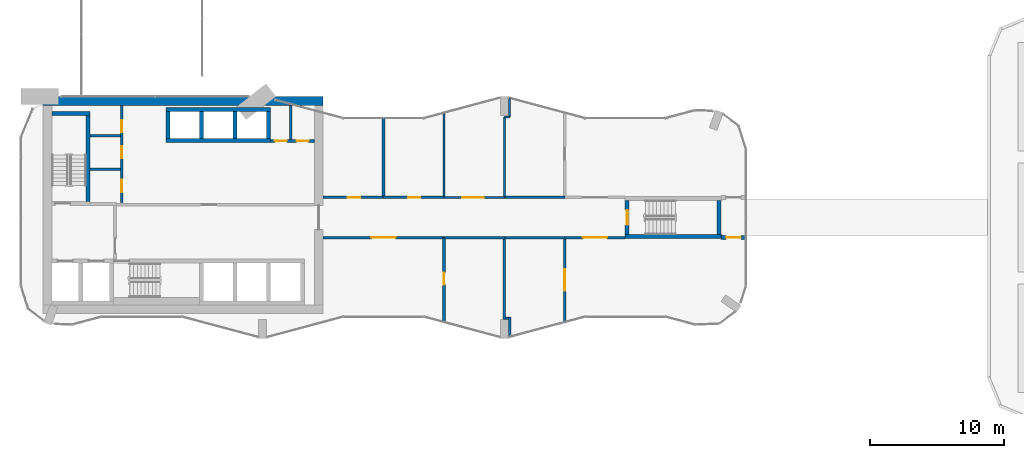
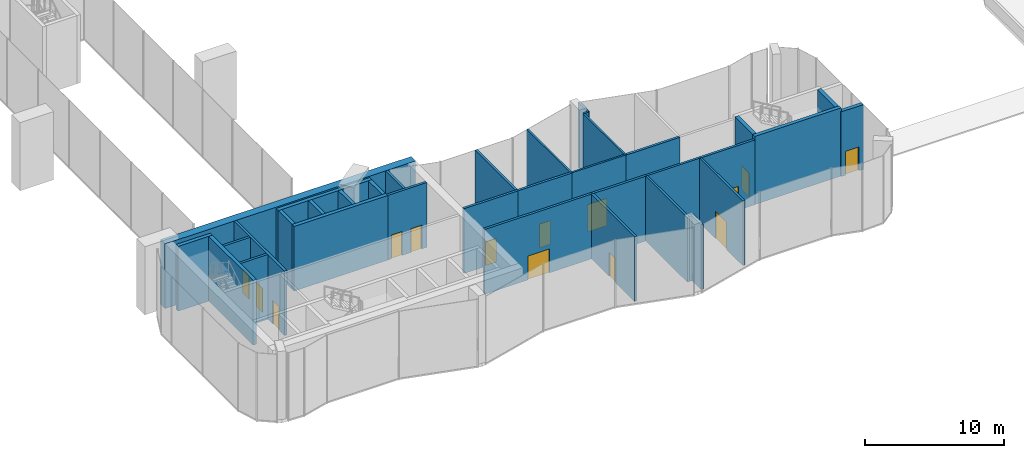
# One storey, part 11 of 19: 36 walls, 14 doors, 14 openings.
"""IFC4 building model written with IfcOpenShell, lengths in metres."""

from ifc_helpers import new_model, si_unit, direction, frame, frame_2d, origin, place, context, subcontext, project, spatial, rectangle, extrude, material, layer, layer_set, type_object, element, fill, save


model = new_model("IFC4")

# Units and contexts
model_context = context("Model", 3, precision=1e-05, world=origin(), true_north=direction((0.0, 1.0)))
body_context = subcontext(model_context, "Body", "Model", "MODEL_VIEW")
ifc_project = project(units=[si_unit("LENGTHUNIT", "METRE"), si_unit("AREAUNIT", "SQUARE_METRE"), si_unit("VOLUMEUNIT", "CUBIC_METRE"), si_unit("PLANEANGLEUNIT", "RADIAN"), si_unit("MASSUNIT", "GRAM", prefix="KILO")], contexts=[model_context])

# Site, building, storey
site_placement = place(None, origin())
site = spatial("IfcSite", under=ifc_project, at=site_placement, CompositionType="ELEMENT")
building_placement = place(site_placement, origin())
building = spatial("IfcBuilding", under=site, at=building_placement, Name="Plateau Cross Towers", CompositionType="ELEMENT")
storey_placement = place(building_placement, frame((0.0, 0.0, 128.60009765625)))
storey = spatial("IfcBuildingStorey", under=building, at=storey_placement, Name="L33", CompositionType="ELEMENT", Elevation=128.60009765625)

# Wall, opening, door
ifc_material_1 = material(Name="Concrete C60/75", Category="concrete")
ifc_layer_1 = layer(ifc_material_1, 0.300048828125)
ifc_layer_set_1 = layer_set([ifc_layer_1], Name="Concrete C60/75")
wall_type_1 = type_object("IfcWallType", Name="Bridge stub wall 300", PredefinedType="SHEAR", material=ifc_layer_set_1)
wall_1_placement = place(storey_placement, frame((52.14990234375, 7.5, 0.0), z_axis=(0.0, 0.0, 1.0), x_axis=(1.0, 0.0, 0.0)))
wall_1 = element("IfcWall", 1, at=wall_1_placement, inside=storey, type_object=wall_type_1, Name="A-end-E-bridge-S@L33", PredefinedType="SHEAR", context=body_context, shape_type="SweptSolid", body=[
    extrude(rectangle(XDim=1.85009765625, YDim=0.300048828125, at=frame_2d((0.925048828125, 0.0))), origin(), (0.0, 0.0, 1.0), 5.699951171875),
])
opening_1_placement = place(wall_1_placement, frame((0.375, 0.0, 0.0)))
opening_1 = element("IfcOpeningElement", 2, at=opening_1_placement, cuts=wall_1, Name="Opening 33-F1", PredefinedType="OPENING", context=body_context, shape_type="SweptSolid", body=[
    extrude(rectangle(XDim=1.10009765625, YDim=2.10009765625, at=frame_2d((0.550048828125, 1.050048828125))), frame((0.0, 0.159912109375, 0.0), z_axis=(0.0, -1.0, 0.0), x_axis=(1.0, 0.0, 0.0)), (0.0, 0.0, 1.0), 0.320068359375),
])
ifc_material_2 = material(Name="Steel, fire-resisting leaf", Category="steel")
door_type_1 = type_object("IfcDoorType", Name="Link lounge fire door 1100", OperationType="NOTDEFINED", PredefinedType="DOOR", material=ifc_material_2)
door_1_placement = place(opening_1_placement, origin())
door_1 = element("IfcDoor", 3, at=door_1_placement, inside=storey, type_object=door_type_1, Name="Door 33-F1", OperationType="SINGLE_SWING_LEFT", OverallHeight=2.10009765625, OverallWidth=1.10009765625, PredefinedType="DOOR", context=body_context, shape_type="SweptSolid", body=[
    extrude(rectangle(XDim=1.10009765625, YDim=2.10009765625, at=frame_2d((0.550048828125, 1.050048828125))), frame((0.0, 0.02490234375, 0.0), z_axis=(0.0, -1.0, 0.0), x_axis=(1.0, 0.0, 0.0)), (0.0, 0.0, 1.0), 0.050048828125),
])
fill(opening_1, door_1)

# Wall, openings, doors
ifc_material_3 = material(Name="Concrete block, plastered both sides", Category="concrete")
ifc_layer_2 = layer(ifc_material_3, 0.199951171875)
ifc_layer_set_2 = layer_set([ifc_layer_2], Name="Concrete block, plastered both sides")
wall_type_2 = type_object("IfcWallType", Name="Core partition 200", PredefinedType="PARTITIONING", material=ifc_layer_set_2)
wall_2_placement = place(storey_placement, frame((7.5, 10.10009765625, 0.0), z_axis=(0.0, 0.0, 1.0), x_axis=(0.0, 1.0, 0.0)))
wall_2 = element("IfcWall", 4, at=wall_2_placement, inside=storey, type_object=wall_type_2, Name="Core partition", PredefinedType="PARTITIONING", context=body_context, shape_type="SweptSolid", body=[
    extrude(rectangle(XDim=7.25, YDim=0.199951171875, at=frame_2d((3.625, 0.0))), origin(), (0.0, 0.0, 1.0), 5.699951171875),
])
opening_2_placement = place(wall_2_placement, frame((0.800048828125, 0.0, 0.0)))
opening_2 = element("IfcOpeningElement", 5, at=opening_2_placement, cuts=wall_2, Name="Opening RD1", PredefinedType="OPENING", context=body_context, shape_type="SweptSolid", body=[
    extrude(rectangle(XDim=0.89990234375, YDim=2.10009765625, at=frame_2d((0.449951171875, 1.050048828125))), frame((0.0, 0.10986328125, 0.0), z_axis=(0.0, -1.0, 0.0), x_axis=(1.0, 0.0, 0.0)), (0.0, 0.0, 1.0), 0.219970703125),
])
opening_3_placement = place(wall_2_placement, frame((3.300048828125, 0.0, 0.0)))
opening_3 = element("IfcOpeningElement", 6, at=opening_3_placement, cuts=wall_2, Name="Opening RD1", PredefinedType="OPENING", context=body_context, shape_type="SweptSolid", body=[
    extrude(rectangle(XDim=0.89990234375, YDim=2.10009765625, at=frame_2d((0.449951171875, 1.050048828125))), frame((0.0, 0.10986328125, 0.0), z_axis=(0.0, -1.0, 0.0), x_axis=(1.0, 0.0, 0.0)), (0.0, 0.0, 1.0), 0.219970703125),
])
opening_4_placement = place(wall_2_placement, frame((5.25, 0.0, 0.0)))
opening_4 = element("IfcOpeningElement", 7, at=opening_4_placement, cuts=wall_2, Name="Opening RD1", PredefinedType="OPENING", context=body_context, shape_type="SweptSolid", body=[
    extrude(rectangle(XDim=0.89990234375, YDim=2.10009765625, at=frame_2d((0.449951171875, 1.050048828125))), frame((0.0, 0.10986328125, 0.0), z_axis=(0.0, -1.0, 0.0), x_axis=(1.0, 0.0, 0.0)), (0.0, 0.0, 1.0), 0.219970703125),
])
ifc_material_4 = material(Name="Timber, fire-resisting leaf", Category="wood")
door_type_2 = type_object("IfcDoorType", Name="Core service door 900", OperationType="NOTDEFINED", PredefinedType="DOOR", material=ifc_material_4)
door_2_placement = place(opening_2_placement, origin())
door_2 = element("IfcDoor", 8, at=door_2_placement, inside=storey, type_object=door_type_2, Name="Core service door RD1", OperationType="SINGLE_SWING_RIGHT", OverallHeight=2.10009765625, OverallWidth=0.89990234375, PredefinedType="DOOR", context=body_context, shape_type="SweptSolid", body=[
    extrude(rectangle(XDim=0.89990234375, YDim=2.10009765625, at=frame_2d((0.449951171875, 1.050048828125))), frame((0.0, 0.02490234375, 0.0), z_axis=(0.0, -1.0, 0.0), x_axis=(1.0, 0.0, 0.0)), (0.0, 0.0, 1.0), 0.050048828125),
])
fill(opening_2, door_2)
door_3_placement = place(opening_3_placement, origin())
door_3 = element("IfcDoor", 9, at=door_3_placement, inside=storey, type_object=door_type_2, Name="Core service door RD1", OperationType="SINGLE_SWING_RIGHT", OverallHeight=2.10009765625, OverallWidth=0.89990234375, PredefinedType="DOOR", context=body_context, shape_type="SweptSolid", body=[
    extrude(rectangle(XDim=0.89990234375, YDim=2.10009765625, at=frame_2d((0.449951171875, 1.050048828125))), frame((0.0, 0.02490234375, 0.0), z_axis=(0.0, -1.0, 0.0), x_axis=(1.0, 0.0, 0.0)), (0.0, 0.0, 1.0), 0.050048828125),
])
fill(opening_3, door_3)
door_4_placement = place(opening_4_placement, origin())
door_4 = element("IfcDoor", 10, at=door_4_placement, inside=storey, type_object=door_type_2, Name="Core service door RD1", OperationType="SINGLE_SWING_RIGHT", OverallHeight=2.10009765625, OverallWidth=0.89990234375, PredefinedType="DOOR", context=body_context, shape_type="SweptSolid", body=[
    extrude(rectangle(XDim=0.89990234375, YDim=2.10009765625, at=frame_2d((0.449951171875, 1.050048828125))), frame((0.0, 0.02490234375, 0.0), z_axis=(0.0, -1.0, 0.0), x_axis=(1.0, 0.0, 0.0)), (0.0, 0.0, 1.0), 0.050048828125),
])
fill(opening_4, door_4)

# Walls
for number, where, z_axis, x_axis, name in (
    (11, (5.14990234375, 12.60009765625, 0.0), (0.0, 0.0, 1.0), (1.0, 0.0, 0.0), "Core partition"),
    (12, (5.14990234375, 15.10009765625, 0.0), (0.0, 0.0, 1.0), (1.0, 0.0, 0.0), "Core partition"),
):
    element("IfcWall", number, at=place(storey_placement, frame(where, z_axis=z_axis, x_axis=x_axis)), inside=storey, type_object=wall_type_2, Name=name, PredefinedType="PARTITIONING", context=body_context, shape_type="SweptSolid", body=[
        extrude(rectangle(XDim=2.25, YDim=0.199951171875, at=frame_2d((1.125, 0.0))), origin(), (0.0, 0.0, 1.0), 5.699951171875),
    ])

# Wall, openings, doors
wall_3_placement = place(storey_placement, frame((18.60009765625, 14.699951171875, 0.0), z_axis=(0.0, 0.0, 1.0), x_axis=(1.0, 0.0, 0.0)))
wall_3 = element("IfcWall", 13, at=wall_3_placement, inside=storey, type_object=wall_type_2, Name="Core partition", PredefinedType="PARTITIONING", context=body_context, shape_type="SweptSolid", body=[
    extrude(rectangle(XDim=3.25, YDim=0.199951171875, at=frame_2d((1.625, 0.0))), origin(), (0.0, 0.0, 1.0), 5.699951171875),
])
opening_5_placement = place(wall_3_placement, frame((0.300048828125, 0.0, 0.0)))
opening_5 = element("IfcOpeningElement", 14, at=opening_5_placement, cuts=wall_3, Name="Opening RD2", PredefinedType="OPENING", context=body_context, shape_type="SweptSolid", body=[
    extrude(rectangle(XDim=0.89990234375, YDim=2.10009765625, at=frame_2d((0.449951171875, 1.050048828125))), frame((0.0, 0.10986328125, 0.0), z_axis=(0.0, -1.0, 0.0), x_axis=(1.0, 0.0, 0.0)), (0.0, 0.0, 1.0), 0.219970703125),
])
opening_6_placement = place(wall_3_placement, frame((1.925048828125, 0.0, 0.0)))
opening_6 = element("IfcOpeningElement", 15, at=opening_6_placement, cuts=wall_3, Name="Opening RD2", PredefinedType="OPENING", context=body_context, shape_type="SweptSolid", body=[
    extrude(rectangle(XDim=0.89990234375, YDim=2.10009765625, at=frame_2d((0.449951171875, 1.050048828125))), frame((0.0, 0.10986328125, 0.0), z_axis=(0.0, -1.0, 0.0), x_axis=(1.0, 0.0, 0.0)), (0.0, 0.0, 1.0), 0.219970703125),
])
door_type_3 = type_object("IfcDoorType", Name="Core riser door 900", OperationType="NOTDEFINED", PredefinedType="DOOR", material=ifc_material_2)
door_5_placement = place(opening_5_placement, origin())
door_5 = element("IfcDoor", 16, at=door_5_placement, inside=storey, type_object=door_type_3, Name="Core riser door RD2", OperationType="SINGLE_SWING_LEFT", OverallHeight=2.10009765625, OverallWidth=0.89990234375, PredefinedType="DOOR", context=body_context, shape_type="SweptSolid", body=[
    extrude(rectangle(XDim=0.89990234375, YDim=2.10009765625, at=frame_2d((0.449951171875, 1.050048828125))), frame((0.0, 0.02490234375, 0.0), z_axis=(0.0, -1.0, 0.0), x_axis=(1.0, 0.0, 0.0)), (0.0, 0.0, 1.0), 0.050048828125),
])
fill(opening_5, door_5)
door_6_placement = place(opening_6_placement, origin())
door_6 = element("IfcDoor", 17, at=door_6_placement, inside=storey, type_object=door_type_3, Name="Core riser door RD2", OperationType="SINGLE_SWING_LEFT", OverallHeight=2.10009765625, OverallWidth=0.89990234375, PredefinedType="DOOR", context=body_context, shape_type="SweptSolid", body=[
    extrude(rectangle(XDim=0.89990234375, YDim=2.10009765625, at=frame_2d((0.449951171875, 1.050048828125))), frame((0.0, 0.02490234375, 0.0), z_axis=(0.0, -1.0, 0.0), x_axis=(1.0, 0.0, 0.0)), (0.0, 0.0, 1.0), 0.050048828125),
])
fill(opening_6, door_6)

# Walls
wall_4_placement = place(storey_placement, frame((20.10009765625, 14.800048828125, 0.0), z_axis=(0.0, 0.0, 1.0), x_axis=(0.0, 1.0, 0.0)))
element("IfcWall", 18, at=wall_4_placement, inside=storey, type_object=wall_type_2, Name="Core partition", PredefinedType="PARTITIONING", context=body_context, shape_type="SweptSolid", body=[
    extrude(rectangle(XDim=2.550048828125, YDim=0.199951171875, at=frame_2d((1.27490234375, 0.0))), origin(), (0.0, 0.0, 1.0), 5.699951171875),
])
ifc_layer_3 = layer(ifc_material_1, 0.300048828125)
ifc_layer_set_3 = layer_set([ifc_layer_3], Name="Concrete C60/75")
wall_type_3 = type_object("IfcWallType", Name="Core shaft wall 300", PredefinedType="SHEAR", material=ifc_layer_set_3)
wall_5_placement = place(storey_placement, frame((5.0, 10.199951171875, 0.0), z_axis=(0.0, 0.0, 1.0), x_axis=(0.0, 1.0, 0.0)))
element("IfcWall", 19, at=wall_5_placement, inside=storey, type_object=wall_type_3, Name="A-st1-E@L33", PredefinedType="SHEAR", context=body_context, shape_type="SweptSolid", body=[
    extrude(rectangle(XDim=6.400146484375, YDim=0.300048828125, at=frame_2d((3.2001953125, 0.0))), origin(), (0.0, 0.0, 1.0), 5.699951171875),
])
wall_6_placement = place(storey_placement, frame((2.300048828125, 16.75, 0.0), z_axis=(0.0, 0.0, 1.0), x_axis=(1.0, 0.0, 0.0)))
element("IfcWall", 20, at=wall_6_placement, inside=storey, type_object=wall_type_3, Name="A-st1-N@L33", PredefinedType="SHEAR", context=body_context, shape_type="SweptSolid", body=[
    extrude(rectangle(XDim=2.849853515625, YDim=0.300048828125, at=frame_2d((1.4248046875, 0.0))), origin(), (0.0, 0.0, 1.0), 5.699951171875),
])
for number, where, z_axis, x_axis, name in (
    (21, (10.800048828125, 17.050048828125, 0.0), (0.0, 0.0, 1.0), (1.0, 0.0, 0.0), "A-nb-back@L33"),
    (22, (10.800048828125, 14.75, 0.0), (0.0, 0.0, 1.0), (1.0, 0.0, 0.0), "A-nb-front@L33"),
):
    element("IfcWall", number, at=place(storey_placement, frame(where, z_axis=z_axis, x_axis=x_axis)), inside=storey, type_object=wall_type_3, Name=name, PredefinedType="SHEAR", context=body_context, shape_type="SweptSolid", body=[
        extrude(rectangle(XDim=7.800048828125, YDim=0.300048828125, at=frame_2d((3.89990234375, 0.0))), origin(), (0.0, 0.0, 1.0), 5.699951171875),
    ])
for number, where, z_axis, x_axis, name in (
    (23, (10.949951171875, 14.89990234375, 0.0), (0.0, 0.0, 1.0), (0.0, 1.0, 0.0), "A-nb-v1@L33"),
    (24, (13.449951171875, 14.89990234375, 0.0), (0.0, 0.0, 1.0), (0.0, 1.0, 0.0), "A-nb-v2@L33"),
    (25, (15.949951171875, 14.89990234375, 0.0), (0.0, 0.0, 1.0), (0.0, 1.0, 0.0), "A-nb-v3@L33"),
    (26, (18.449951171875, 14.89990234375, 0.0), (0.0, 0.0, 1.0), (0.0, 1.0, 0.0), "A-nb-v4@L33"),
):
    element("IfcWall", number, at=place(storey_placement, frame(where, z_axis=z_axis, x_axis=x_axis)), inside=storey, type_object=wall_type_3, Name=name, PredefinedType="SHEAR", context=body_context, shape_type="SweptSolid", body=[
        extrude(rectangle(XDim=2.0, YDim=0.300048828125, at=frame_2d((1.0, 0.0))), origin(), (0.0, 0.0, 1.0), 5.699951171875),
    ])
ifc_layer_4 = layer(ifc_material_1, 0.64990234375)
ifc_layer_set_4 = layer_set([ifc_layer_4], Name="Concrete C60/75")
wall_type_4 = type_object("IfcWallType", Name="Core shell wall 650", PredefinedType="SHEAR", material=ifc_layer_set_4)
wall_7_placement = place(storey_placement, frame((1.64990234375, 17.675048828125, 0.0), z_axis=(0.0, 0.0, 1.0), x_axis=(1.0, 0.0, 0.0)))
element("IfcWall", 27, at=wall_7_placement, inside=storey, type_object=wall_type_4, Name="A-core-N@L33", PredefinedType="SHEAR", context=body_context, shape_type="SweptSolid", body=[
    extrude(rectangle(XDim=20.85009765625, YDim=0.64990234375, at=frame_2d((10.425048828125, 0.0))), origin(), (0.0, 0.0, 1.0), 5.699951171875),
])
ifc_material_5 = material(Name="Dense masonry block, plastered, acoustic lining", Category="masonry")
ifc_layer_5 = layer(ifc_material_5, 0.179931640625)
ifc_layer_set_5 = layer_set([ifc_layer_5], Name="Dense masonry block, plastered, acoustic lining")
wall_type_5 = type_object("IfcWallType", Name="Plant room acoustic wall 180", PredefinedType="PARTITIONING", material=ifc_layer_set_5)
wall_8_placement = place(storey_placement, frame((36.0, 7.5, 0.0), z_axis=(0.0, 0.0, 1.0), x_axis=(0.0, -1.0, 0.0)))
element("IfcWall", 28, at=wall_8_placement, inside=storey, type_object=wall_type_5, Name="Partition wall", PredefinedType="PARTITIONING", context=body_context, shape_type="SweptSolid", body=[
    extrude(rectangle(XDim=6.090087890625, YDim=0.179931640625, at=frame_2d((3.044921875, 0.0))), origin(), (0.0, 0.0, 1.0), 5.699951171875),
])
wall_9_placement = place(storey_placement, frame((36.090087890625, 1.5, 0.0), z_axis=(0.0, 0.0, 1.0), x_axis=(1.0, 0.0, 0.0)))
element("IfcWall", 29, at=wall_9_placement, inside=storey, type_object=wall_type_5, Name="Partition wall", PredefinedType="PARTITIONING", context=body_context, shape_type="SweptSolid", body=[
    extrude(rectangle(XDim=0.219970703125, YDim=0.179931640625, at=frame_2d((0.10986328125, 0.0))), origin(), (0.0, 0.0, 1.0), 5.699951171875),
])
wall_10_placement = place(storey_placement, frame((36.39990234375, 1.590087890625, 0.0), z_axis=(0.0, 0.0, 1.0), x_axis=(0.0, -1.0, 0.0)))
element("IfcWall", 30, at=wall_10_placement, inside=storey, type_object=wall_type_5, Name="Partition wall", PredefinedType="PARTITIONING", context=body_context, shape_type="SweptSolid", body=[
    extrude(rectangle(XDim=1.483154296875, YDim=0.179931640625, at=frame_2d((0.74169921875, 0.0))), origin(), (0.0, 0.0, 1.0), 5.699951171875),
])

# Wall, opening, door
wall_11_placement = place(storey_placement, frame((40.5, 7.5, 0.0), z_axis=(0.0, 0.0, 1.0), x_axis=(0.0, -1.0, 0.0)))
wall_11 = element("IfcWall", 31, at=wall_11_placement, inside=storey, type_object=wall_type_5, Name="Partition wall", PredefinedType="PARTITIONING", context=body_context, shape_type="SweptSolid", body=[
    extrude(rectangle(XDim=6.294921875, YDim=0.179931640625, at=frame_2d((3.1474609375, 0.0))), origin(), (0.0, 0.0, 1.0), 5.699951171875),
])
opening_7_placement = place(wall_11_placement, frame((2.35009765625, 0.0, 0.0)))
opening_7 = element("IfcOpeningElement", 32, at=opening_7_placement, cuts=wall_11, Name="Opening 33-02", PredefinedType="OPENING", context=body_context, shape_type="SweptSolid", body=[
    extrude(rectangle(XDim=1.60009765625, YDim=2.39990234375, at=frame_2d((0.800048828125, 1.199951171875))), frame((0.0, 0.099853515625, 0.0), z_axis=(0.0, -1.0, 0.0), x_axis=(1.0, 0.0, 0.0)), (0.0, 0.0, 1.0), 0.199951171875),
])
ifc_material_6 = material(Name="Steel, fire-resisting double leaf with louvre panel", Category="steel")
door_type_4 = type_object("IfcDoorType", Name="Plant room double door 1600x2400", OperationType="NOTDEFINED", PredefinedType="DOOR", material=ifc_material_6)
door_7_placement = place(opening_7_placement, origin())
door_7 = element("IfcDoor", 33, at=door_7_placement, inside=storey, type_object=door_type_4, Name="Door 33-02", OperationType="SINGLE_SWING_LEFT", OverallHeight=2.39990234375, OverallWidth=1.60009765625, PredefinedType="DOOR", context=body_context, shape_type="SweptSolid", body=[
    extrude(rectangle(XDim=1.60009765625, YDim=2.39990234375, at=frame_2d((0.800048828125, 1.199951171875))), frame((0.0, 0.02490234375, 0.0), z_axis=(0.0, -1.0, 0.0), x_axis=(1.0, 0.0, 0.0)), (0.0, 0.0, 1.0), 0.050048828125),
])
fill(opening_7, door_7)

# Wall
wall_12_placement = place(storey_placement, frame((40.5, 7.5, 0.0), z_axis=(0.0, 0.0, 1.0), x_axis=(-1.0, 0.0, 0.0)))
element("IfcWall", 34, at=wall_12_placement, inside=storey, type_object=wall_type_5, Name="Partition wall", PredefinedType="PARTITIONING", context=body_context, shape_type="SweptSolid", body=[
    extrude(rectangle(XDim=4.5, YDim=0.179931640625, at=frame_2d((2.25, 0.0))), origin(), (0.0, 0.0, 1.0), 5.699951171875),
])

# Wall, opening, door
ifc_material_7 = material(Name="Gypsum board on steel studs", Category="steel")
ifc_layer_6 = layer(ifc_material_7, 0.199951171875)
ifc_layer_set_6 = layer_set([ifc_layer_6], Name="Gypsum board on steel studs")
wall_type_6 = type_object("IfcWallType", Name="Podium partition 200", PredefinedType="PARTITIONING", material=ifc_layer_set_6)
wall_13_placement = place(storey_placement, frame((31.5, 7.5, 0.0), z_axis=(0.0, 0.0, 1.0), x_axis=(-1.0, 0.0, 0.0)))
wall_13 = element("IfcWall", 35, at=wall_13_placement, inside=storey, type_object=wall_type_6, Name="Partition wall", PredefinedType="PARTITIONING", context=body_context, shape_type="SweptSolid", body=[
    extrude(rectangle(XDim=9.0, YDim=0.199951171875, at=frame_2d((4.5, 0.0))), origin(), (0.0, 0.0, 1.0), 5.699951171875),
])
opening_8_placement = place(wall_13_placement, frame((3.60009765625, 0.0, 0.0)))
opening_8 = element("IfcOpeningElement", 36, at=opening_8_placement, cuts=wall_13, Name="Opening 33-07", PredefinedType="OPENING", context=body_context, shape_type="SweptSolid", body=[
    extrude(rectangle(XDim=1.800048828125, YDim=2.10009765625, at=frame_2d((0.89990234375, 1.050048828125))), frame((0.0, 0.10986328125, 0.0), z_axis=(0.0, -1.0, 0.0), x_axis=(1.0, 0.0, 0.0)), (0.0, 0.0, 1.0), 0.219970703125),
])
ifc_material_8 = material(Name="Aluminium frame, toughened glass", Category="aluminium")
door_type_5 = type_object("IfcDoorType", Name="Podium door pair 1800", OperationType="NOTDEFINED", PredefinedType="DOOR", material=ifc_material_8)
door_8_placement = place(opening_8_placement, origin())
door_8 = element("IfcDoor", 37, at=door_8_placement, inside=storey, type_object=door_type_5, Name="Door 33-07", OperationType="DOUBLE_DOOR_SINGLE_SWING", OverallHeight=2.10009765625, OverallWidth=1.800048828125, PredefinedType="DOOR", context=body_context, shape_type="SweptSolid", body=[
    extrude(rectangle(XDim=1.800048828125, YDim=2.10009765625, at=frame_2d((0.89990234375, 1.050048828125))), frame((0.0, 0.02490234375, 0.0), z_axis=(0.0, -1.0, 0.0), x_axis=(1.0, 0.0, 0.0)), (0.0, 0.0, 1.0), 0.050048828125),
])
fill(opening_8, door_8)

wall_14_placement = place(storey_placement, frame((31.5, 7.5, 0.0), z_axis=(0.0, 0.0, 1.0), x_axis=(0.0, -1.0, 0.0)))
wall_14 = element("IfcWall", 38, at=wall_14_placement, inside=storey, type_object=wall_type_6, Name="Partition wall", PredefinedType="PARTITIONING", context=body_context, shape_type="SweptSolid", body=[
    extrude(rectangle(XDim=6.294921875, YDim=0.199951171875, at=frame_2d((3.1474609375, 0.0))), origin(), (0.0, 0.0, 1.0), 5.699951171875),
])
opening_9_placement = place(wall_14_placement, frame((2.60009765625, 0.0, 0.0)))
opening_9 = element("IfcOpeningElement", 39, at=opening_9_placement, cuts=wall_14, Name="Opening 33-01", PredefinedType="OPENING", context=body_context, shape_type="SweptSolid", body=[
    extrude(rectangle(XDim=0.89990234375, YDim=2.10009765625, at=frame_2d((0.449951171875, 1.050048828125))), frame((0.0, 0.10986328125, 0.0), z_axis=(0.0, -1.0, 0.0), x_axis=(1.0, 0.0, 0.0)), (0.0, 0.0, 1.0), 0.219970703125),
])
ifc_material_9 = material(Name="Timber leaf", Category="wood")
door_type_6 = type_object("IfcDoorType", Name="Podium room door 900", OperationType="NOTDEFINED", PredefinedType="DOOR", material=ifc_material_9)
door_9_placement = place(opening_9_placement, origin())
door_9 = element("IfcDoor", 40, at=door_9_placement, inside=storey, type_object=door_type_6, Name="Door 33-01", OperationType="SINGLE_SWING_LEFT", OverallHeight=2.10009765625, OverallWidth=0.89990234375, PredefinedType="DOOR", context=body_context, shape_type="SweptSolid", body=[
    extrude(rectangle(XDim=0.89990234375, YDim=2.10009765625, at=frame_2d((0.449951171875, 1.050048828125))), frame((0.0, 0.02490234375, 0.0), z_axis=(0.0, -1.0, 0.0), x_axis=(1.0, 0.0, 0.0)), (0.0, 0.0, 1.0), 0.050048828125),
])
fill(opening_9, door_9)

# Walls
wall_15_placement = place(storey_placement, frame((27.0, 16.39306640625, 0.0), z_axis=(0.0, 0.0, 1.0), x_axis=(0.0, -1.0, 0.0)))
element("IfcWall", 41, at=wall_15_placement, inside=storey, type_object=wall_type_6, Name="Partition wall", PredefinedType="PARTITIONING", context=body_context, shape_type="SweptSolid", body=[
    extrude(rectangle(XDim=5.89306640625, YDim=0.199951171875, at=frame_2d((2.946533203125, 0.0))), origin(), (0.0, 0.0, 1.0), 5.699951171875),
])
wall_16_placement = place(storey_placement, frame((36.0, 10.5, 0.0), z_axis=(0.0, 0.0, 1.0), x_axis=(1.0, 0.0, 0.0)))
element("IfcWall", 42, at=wall_16_placement, inside=storey, type_object=wall_type_6, Name="Partition wall", PredefinedType="PARTITIONING", context=body_context, shape_type="SweptSolid", body=[
    extrude(rectangle(XDim=4.5, YDim=0.199951171875, at=frame_2d((2.25, 0.0))), origin(), (0.0, 0.0, 1.0), 5.699951171875),
])

# Wall, opening, door
wall_17_placement = place(storey_placement, frame((22.5, 10.5, 0.0), z_axis=(0.0, 0.0, 1.0), x_axis=(1.0, 0.0, 0.0)))
wall_17 = element("IfcWall", 43, at=wall_17_placement, inside=storey, type_object=wall_type_6, Name="Partition wall", PredefinedType="PARTITIONING", context=body_context, shape_type="SweptSolid", body=[
    extrude(rectangle(XDim=4.5, YDim=0.199951171875, at=frame_2d((2.25, 0.0))), origin(), (0.0, 0.0, 1.0), 5.699951171875),
])
opening_10_placement = place(wall_17_placement, frame((1.85009765625, 0.0, 0.0)))
opening_10 = element("IfcOpeningElement", 44, at=opening_10_placement, cuts=wall_17, Name="Opening 33-03", PredefinedType="OPENING", context=body_context, shape_type="SweptSolid", body=[
    extrude(rectangle(XDim=0.89990234375, YDim=2.10009765625, at=frame_2d((0.449951171875, 1.050048828125))), frame((0.0, 0.10986328125, 0.0), z_axis=(0.0, -1.0, 0.0), x_axis=(1.0, 0.0, 0.0)), (0.0, 0.0, 1.0), 0.219970703125),
])
door_10_placement = place(opening_10_placement, origin())
door_10 = element("IfcDoor", 45, at=door_10_placement, inside=storey, type_object=door_type_6, Name="Door 33-03", OperationType="SINGLE_SWING_LEFT", OverallHeight=2.10009765625, OverallWidth=0.89990234375, PredefinedType="DOOR", context=body_context, shape_type="SweptSolid", body=[
    extrude(rectangle(XDim=0.89990234375, YDim=2.10009765625, at=frame_2d((0.449951171875, 1.050048828125))), frame((0.0, 0.02490234375, 0.0), z_axis=(0.0, -1.0, 0.0), x_axis=(1.0, 0.0, 0.0)), (0.0, 0.0, 1.0), 0.050048828125),
])
fill(opening_10, door_10)

wall_18_placement = place(storey_placement, frame((27.0, 10.5, 0.0), z_axis=(0.0, 0.0, 1.0), x_axis=(1.0, 0.0, 0.0)))
wall_18 = element("IfcWall", 46, at=wall_18_placement, inside=storey, type_object=wall_type_6, Name="Partition wall", PredefinedType="PARTITIONING", context=body_context, shape_type="SweptSolid", body=[
    extrude(rectangle(XDim=4.5, YDim=0.199951171875, at=frame_2d((2.25, 0.0))), origin(), (0.0, 0.0, 1.0), 5.699951171875),
])
opening_11_placement = place(wall_18_placement, frame((1.85009765625, 0.0, 0.0)))
opening_11 = element("IfcOpeningElement", 47, at=opening_11_placement, cuts=wall_18, Name="Opening 33-04", PredefinedType="OPENING", context=body_context, shape_type="SweptSolid", body=[
    extrude(rectangle(XDim=0.89990234375, YDim=2.10009765625, at=frame_2d((0.449951171875, 1.050048828125))), frame((0.0, 0.10986328125, 0.0), z_axis=(0.0, -1.0, 0.0), x_axis=(1.0, 0.0, 0.0)), (0.0, 0.0, 1.0), 0.219970703125),
])
door_11_placement = place(opening_11_placement, origin())
door_11 = element("IfcDoor", 48, at=door_11_placement, inside=storey, type_object=door_type_6, Name="Door 33-04", OperationType="SINGLE_SWING_LEFT", OverallHeight=2.10009765625, OverallWidth=0.89990234375, PredefinedType="DOOR", context=body_context, shape_type="SweptSolid", body=[
    extrude(rectangle(XDim=0.89990234375, YDim=2.10009765625, at=frame_2d((0.449951171875, 1.050048828125))), frame((0.0, 0.02490234375, 0.0), z_axis=(0.0, -1.0, 0.0), x_axis=(1.0, 0.0, 0.0)), (0.0, 0.0, 1.0), 0.050048828125),
])
fill(opening_11, door_11)

# Wall
wall_19_placement = place(storey_placement, frame((36.0, 7.5, 0.0), z_axis=(0.0, 0.0, 1.0), x_axis=(-1.0, 0.0, 0.0)))
element("IfcWall", 49, at=wall_19_placement, inside=storey, type_object=wall_type_6, Name="Partition wall", PredefinedType="PARTITIONING", context=body_context, shape_type="SweptSolid", body=[
    extrude(rectangle(XDim=4.5, YDim=0.199951171875, at=frame_2d((2.25, 0.0))), origin(), (0.0, 0.0, 1.0), 5.699951171875),
])

# Wall, opening, door
wall_20_placement = place(storey_placement, frame((45.0, 7.5, 0.0), z_axis=(0.0, 0.0, 1.0), x_axis=(-1.0, 0.0, 0.0)))
wall_20 = element("IfcWall", 50, at=wall_20_placement, inside=storey, type_object=wall_type_6, Name="Partition wall", PredefinedType="PARTITIONING", context=body_context, shape_type="SweptSolid", body=[
    extrude(rectangle(XDim=4.5, YDim=0.199951171875, at=frame_2d((2.25, 0.0))), origin(), (0.0, 0.0, 1.0), 5.699951171875),
])
opening_12_placement = place(wall_20_placement, frame((1.35009765625, 0.0, 0.0)))
opening_12 = element("IfcOpeningElement", 51, at=opening_12_placement, cuts=wall_20, Name="Opening 33-09", PredefinedType="OPENING", context=body_context, shape_type="SweptSolid", body=[
    extrude(rectangle(XDim=1.800048828125, YDim=2.10009765625, at=frame_2d((0.89990234375, 1.050048828125))), frame((0.0, 0.10986328125, 0.0), z_axis=(0.0, -1.0, 0.0), x_axis=(1.0, 0.0, 0.0)), (0.0, 0.0, 1.0), 0.219970703125),
])
door_12_placement = place(opening_12_placement, origin())
door_12 = element("IfcDoor", 52, at=door_12_placement, inside=storey, type_object=door_type_5, Name="Door 33-09", OperationType="DOUBLE_DOOR_SINGLE_SWING", OverallHeight=2.10009765625, OverallWidth=1.800048828125, PredefinedType="DOOR", context=body_context, shape_type="SweptSolid", body=[
    extrude(rectangle(XDim=1.800048828125, YDim=2.10009765625, at=frame_2d((0.89990234375, 1.050048828125))), frame((0.0, 0.02490234375, 0.0), z_axis=(0.0, -1.0, 0.0), x_axis=(1.0, 0.0, 0.0)), (0.0, 0.0, 1.0), 0.050048828125),
])
fill(opening_12, door_12)

# Walls
ifc_material_10 = material(Name="Fire-rated board lining on steel studs", Category="steel")
ifc_layer_7 = layer(ifc_material_10, 0.14990234375)
ifc_layer_set_7 = layer_set([ifc_layer_7], Name="Fire-rated board lining on steel studs")
wall_type_7 = type_object("IfcWallType", Name="Riser shaft lining 150", PredefinedType="PARTITIONING", material=ifc_layer_set_7)
wall_21_placement = place(storey_placement, frame((36.39990234375, 17.89306640625, 0.0), z_axis=(0.0, 0.0, 1.0), x_axis=(0.0, -1.0, 0.0)))
element("IfcWall", 53, at=wall_21_placement, inside=storey, type_object=wall_type_7, Name="Partition wall", PredefinedType="PARTITIONING", context=body_context, shape_type="SweptSolid", body=[
    extrude(rectangle(XDim=1.39306640625, YDim=0.14990234375, at=frame_2d((0.696533203125, 0.0))), origin(), (0.0, 0.0, 1.0), 5.699951171875),
])
wall_22_placement = place(storey_placement, frame((36.39990234375, 16.5, 0.0), z_axis=(0.0, 0.0, 1.0), x_axis=(-1.0, 0.0, 0.0)))
element("IfcWall", 54, at=wall_22_placement, inside=storey, type_object=wall_type_7, Name="Partition wall", PredefinedType="PARTITIONING", context=body_context, shape_type="SweptSolid", body=[
    extrude(rectangle(XDim=0.39990234375, YDim=0.14990234375, at=frame_2d((0.199951171875, 0.0))), origin(), (0.0, 0.0, 1.0), 5.699951171875),
])
wall_23_placement = place(storey_placement, frame((36.0, 16.5, 0.0), z_axis=(0.0, 0.0, 1.0), x_axis=(0.0, -1.0, 0.0)))
element("IfcWall", 55, at=wall_23_placement, inside=storey, type_object=wall_type_7, Name="Partition wall", PredefinedType="PARTITIONING", context=body_context, shape_type="SweptSolid", body=[
    extrude(rectangle(XDim=6.0, YDim=0.14990234375, at=frame_2d((3.0, 0.0))), origin(), (0.0, 0.0, 1.0), 5.699951171875),
])
wall_24_placement = place(storey_placement, frame((31.5, 16.794921875, 0.0), z_axis=(0.0, 0.0, 1.0), x_axis=(0.0, -1.0, 0.0)))
element("IfcWall", 56, at=wall_24_placement, inside=storey, type_object=wall_type_7, Name="Partition wall", PredefinedType="PARTITIONING", context=body_context, shape_type="SweptSolid", body=[
    extrude(rectangle(XDim=6.294921875, YDim=0.14990234375, at=frame_2d((3.1474609375, 0.0))), origin(), (0.0, 0.0, 1.0), 5.699951171875),
])

# Wall, opening, door
wall_25_placement = place(storey_placement, frame((31.5, 10.5, 0.0), z_axis=(0.0, 0.0, 1.0), x_axis=(1.0, 0.0, 0.0)))
wall_25 = element("IfcWall", 57, at=wall_25_placement, inside=storey, type_object=wall_type_7, Name="Partition wall", PredefinedType="PARTITIONING", context=body_context, shape_type="SweptSolid", body=[
    extrude(rectangle(XDim=4.5, YDim=0.14990234375, at=frame_2d((2.25, 0.0))), origin(), (0.0, 0.0, 1.0), 5.699951171875),
])
opening_13_placement = place(wall_25_placement, frame((1.35009765625, 0.0, 0.0)))
opening_13 = element("IfcOpeningElement", 58, at=opening_13_placement, cuts=wall_25, Name="Opening 33-05", PredefinedType="OPENING", context=body_context, shape_type="SweptSolid", body=[
    extrude(rectangle(XDim=1.60009765625, YDim=2.39990234375, at=frame_2d((0.800048828125, 1.199951171875))), frame((0.0, 0.0849609375, 0.0), z_axis=(0.0, -1.0, 0.0), x_axis=(1.0, 0.0, 0.0)), (0.0, 0.0, 1.0), 0.169921875),
])
door_13_placement = place(opening_13_placement, origin())
door_13 = element("IfcDoor", 59, at=door_13_placement, inside=storey, type_object=door_type_4, Name="Door 33-05", OperationType="SINGLE_SWING_LEFT", OverallHeight=2.39990234375, OverallWidth=1.60009765625, PredefinedType="DOOR", context=body_context, shape_type="SweptSolid", body=[
    extrude(rectangle(XDim=1.60009765625, YDim=2.39990234375, at=frame_2d((0.800048828125, 1.199951171875))), frame((0.0, 0.02490234375, 0.0), z_axis=(0.0, -1.0, 0.0), x_axis=(1.0, 0.0, 0.0)), (0.0, 0.0, 1.0), 0.050048828125),
])
fill(opening_13, door_13)

ifc_layer_8 = layer(ifc_material_1, 0.300048828125)
ifc_layer_set_8 = layer_set([ifc_layer_8], Name="Concrete C60/75")
wall_type_8 = type_object("IfcWallType", Name="Stair tower wall 300", PredefinedType="SHEAR", material=ifc_layer_set_8)
wall_26_placement = place(storey_placement, frame((45.14990234375, 7.72509765625, 0.0), z_axis=(0.0, 0.0, 1.0), x_axis=(0.0, 1.0, 0.0)))
wall_26 = element("IfcWall", 60, at=wall_26_placement, inside=storey, type_object=wall_type_8, Name="A-end-E-W@L33", PredefinedType="SHEAR", context=body_context, shape_type="SweptSolid", body=[
    extrude(rectangle(XDim=2.5498046875, YDim=0.300048828125, at=frame_2d((1.27490234375, 0.0))), origin(), (0.0, 0.0, 1.0), 6.0),
])
opening_14_placement = place(wall_26_placement, frame((0.72509765625, 0.0, 0.0)))
opening_14 = element("IfcOpeningElement", 61, at=opening_14_placement, cuts=wall_26, Name="Opening SD", PredefinedType="OPENING", context=body_context, shape_type="SweptSolid", body=[
    extrude(rectangle(XDim=1.10009765625, YDim=2.10009765625, at=frame_2d((0.550048828125, 1.050048828125))), frame((0.0, 0.159912109375, 0.0), z_axis=(0.0, -1.0, 0.0), x_axis=(1.0, 0.0, 0.0)), (0.0, 0.0, 1.0), 0.320068359375),
])
door_type_7 = type_object("IfcDoorType", Name="Stair door 1100", OperationType="NOTDEFINED", PredefinedType="DOOR", material=ifc_material_2)
door_14_placement = place(opening_14_placement, origin())
door_14 = element("IfcDoor", 62, at=door_14_placement, inside=storey, type_object=door_type_7, Name="Stair door SD", OperationType="SINGLE_SWING_LEFT", OverallHeight=2.10009765625, OverallWidth=1.10009765625, PredefinedType="DOOR", context=body_context, shape_type="SweptSolid", body=[
    extrude(rectangle(XDim=1.10009765625, YDim=2.10009765625, at=frame_2d((0.550048828125, 1.050048828125))), frame((0.0, 0.02490234375, 0.0), z_axis=(0.0, -1.0, 0.0), x_axis=(1.0, 0.0, 0.0)), (0.0, 0.0, 1.0), 0.050048828125),
])
fill(opening_14, door_14)

# Walls
wall_27_placement = place(storey_placement, frame((52.0, 7.72509765625, 0.0), z_axis=(0.0, 0.0, 1.0), x_axis=(0.0, 1.0, 0.0)))
element("IfcWall", 63, at=wall_27_placement, inside=storey, type_object=wall_type_8, Name="A-end-E-E@L33", PredefinedType="SHEAR", context=body_context, shape_type="SweptSolid", body=[
    extrude(rectangle(XDim=2.5498046875, YDim=0.300048828125, at=frame_2d((1.27490234375, 0.0))), origin(), (0.0, 0.0, 1.0), 6.0),
])
wall_28_placement = place(storey_placement, frame((45.0, 7.574951171875, 0.0), z_axis=(0.0, 0.0, 1.0), x_axis=(1.0, 0.0, 0.0)))
element("IfcWall", 64, at=wall_28_placement, inside=storey, type_object=wall_type_8, Name="A-end-E-S@L33", PredefinedType="SHEAR", context=body_context, shape_type="SweptSolid", body=[
    extrude(rectangle(XDim=7.199951171875, YDim=0.300048828125, at=frame_2d((3.60009765625, 0.0))), origin(), (0.0, 0.0, 1.0), 6.0),
])

save(model, "model.ifc")
